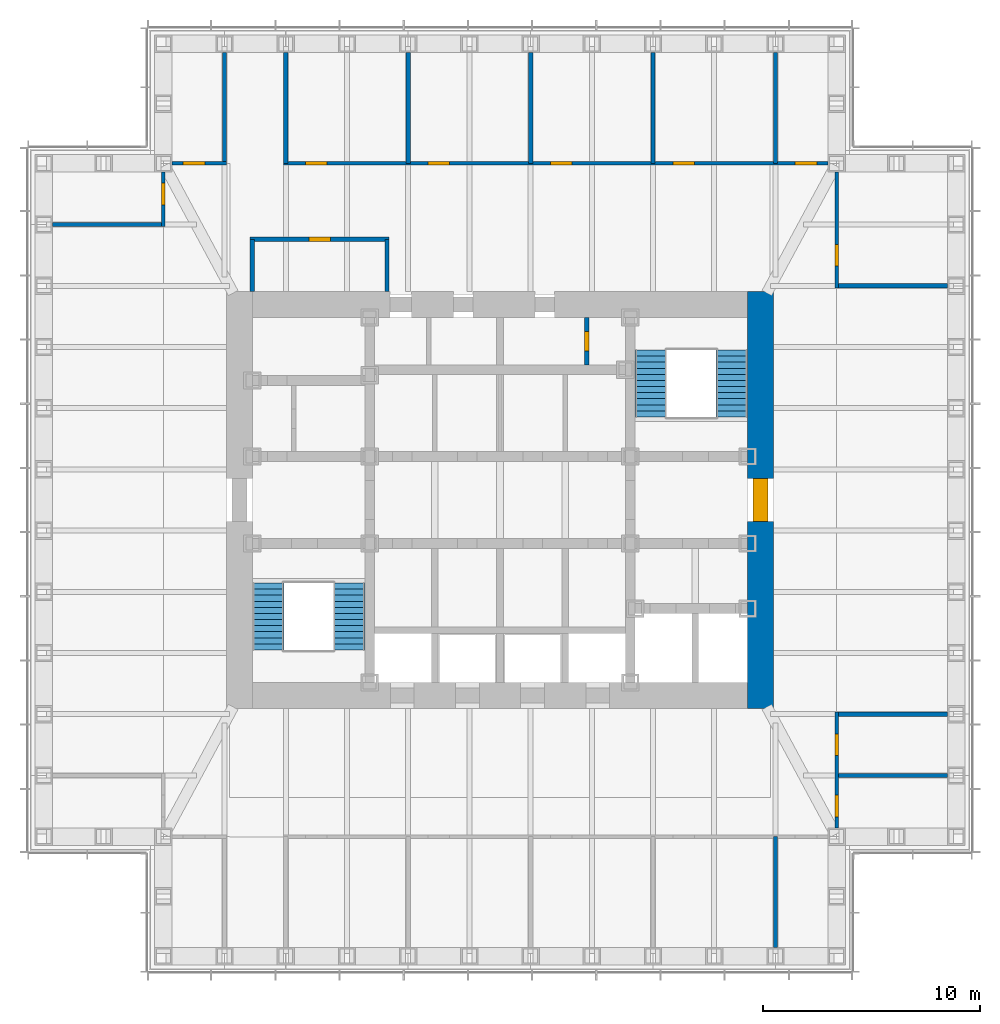
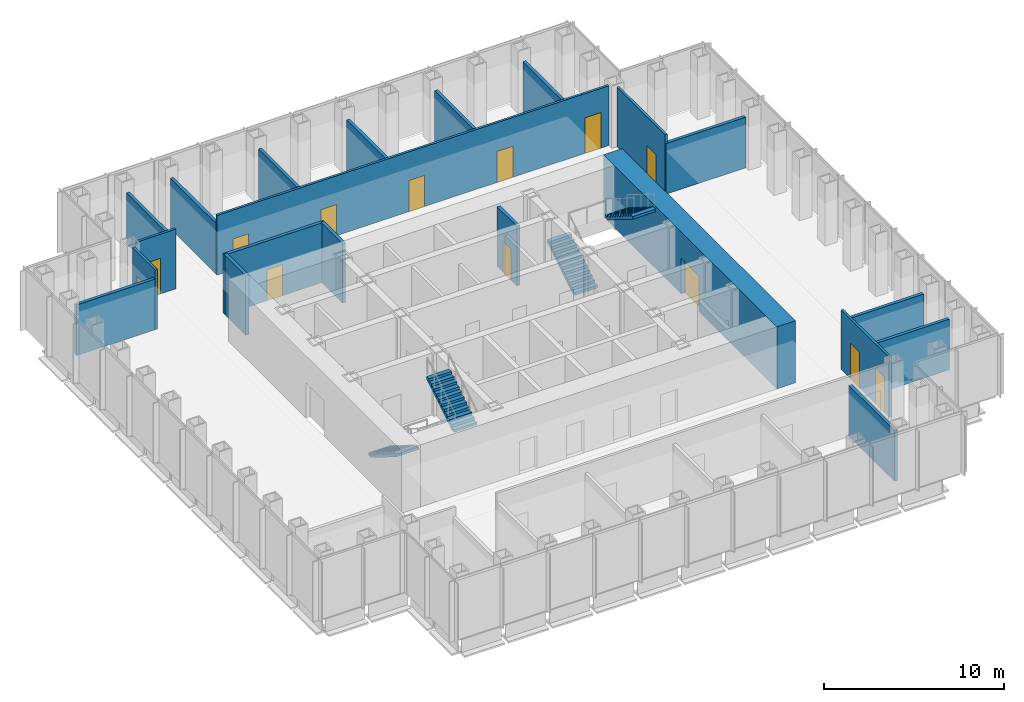
# One storey, part 10 of 16: 21 walls, 13 doors, 4 stair flights, 13 openings, 2 elements without a shape of their own.
"""IFC4 building model written with IfcOpenShell, lengths in metres."""

from ifc_helpers import new_model, si_unit, direction, frame, frame_2d, origin, place, context, subcontext, project, spatial, polyline, rectangle, outline, extrude, material, layer, layer_set, type_object, element, fill, aggregate, save


model = new_model("IFC4")

# Units and contexts
model_context = context("Model", 3, precision=1e-05, world=origin(), true_north=direction((0.0, 1.0)))
body_context = subcontext(model_context, "Body", "Model", "MODEL_VIEW")
ifc_project = project(units=[si_unit("LENGTHUNIT", "METRE"), si_unit("AREAUNIT", "SQUARE_METRE"), si_unit("VOLUMEUNIT", "CUBIC_METRE"), si_unit("PLANEANGLEUNIT", "RADIAN"), si_unit("MASSUNIT", "GRAM", prefix="KILO")], contexts=[model_context])

# Site, building, storey
site_placement = place(None, origin())
site = spatial("IfcSite", under=ifc_project, at=site_placement, CompositionType="ELEMENT")
building_placement = place(site_placement, origin())
building = spatial("IfcBuilding", under=site, at=building_placement, Name="Daluyong Arena Tower", CompositionType="ELEMENT")
storey_placement = place(building_placement, frame((0.0, 0.0, 219.10009765625)))
storey = spatial("IfcBuildingStorey", under=building, at=storey_placement, Name="L49", CompositionType="ELEMENT", Elevation=219.10009765625)

# Wall, opening, door
ifc_material_1 = material(Name="Concrete fc' 60 MPa", Category="concrete")
ifc_layer_1 = layer(ifc_material_1, 1.199951171875)
ifc_layer_set_1 = layer_set([ifc_layer_1], Name="Concrete fc' 60 MPa")
wall_type_1 = type_object("IfcWallType", Name="Core wall 1200", PredefinedType="SHEAR", material=ifc_layer_set_1)
wall_1_placement = place(storey_placement, frame((68.0, 70.39990234375, 0.0), z_axis=(0.0, 0.0, 1.0), x_axis=(0.0, 1.0, 0.0)))
wall_1 = element("IfcWall", 1, at=wall_1_placement, inside=storey, type_object=wall_type_1, Name="core wall at L49", PredefinedType="SHEAR", context=body_context, shape_type="SweptSolid", body=[
    extrude(rectangle(XDim=19.2001953125, YDim=1.199951171875, at=frame_2d((9.60009765625, 0.0))), origin(), (0.0, 0.0, 1.0), 4.199951171875),
])
opening_1_placement = place(wall_1_placement, frame((8.60009765625, 0.0, 0.0)))
opening_1 = element("IfcOpeningElement", 2, at=opening_1_placement, cuts=wall_1, Name="Opening 49019", PredefinedType="OPENING", context=body_context, shape_type="SweptSolid", body=[
    extrude(rectangle(XDim=2.0, YDim=2.39990234375, at=frame_2d((1.0, 1.199951171875))), frame((0.0, 0.60986328125, 0.0), z_axis=(0.0, -1.0, 0.0), x_axis=(1.0, 0.0, 0.0)), (0.0, 0.0, 1.0), 1.219970703125),
])
ifc_material_2 = material(Name="Steel door, fire rated", Category="steel")
door_type_1 = type_object("IfcDoorType", Name="Core lobby double door 2000", OperationType="DOUBLE_DOOR_SINGLE_SWING", PredefinedType="DOOR", material=ifc_material_2)
door_1_placement = place(opening_1_placement, origin())
door_1 = element("IfcDoor", 3, at=door_1_placement, inside=storey, type_object=door_type_1, Name="core lobby door east 49019", OperationType="DOUBLE_DOOR_SINGLE_SWING", OverallHeight=2.39990234375, OverallWidth=2.0, PredefinedType="DOOR", context=body_context, shape_type="SweptSolid", body=[
    extrude(rectangle(XDim=2.0, YDim=2.39990234375, at=frame_2d((1.0, 1.199951171875))), frame((0.0, 0.35009765625, 0.0), z_axis=(0.0, -1.0, 0.0), x_axis=(1.0, 0.0, 0.0)), (0.0, 0.0, 1.0), 0.699951171875),
])
fill(opening_1, door_1)

ifc_material_3 = material(Name="Concrete block partition, fire rated", Category="concrete")
ifc_layer_2 = layer(ifc_material_3, 0.199951171875)
ifc_layer_set_2 = layer_set([ifc_layer_2], Name="Concrete block partition, fire rated")
wall_type_2 = type_object("IfcWallType", Name="Fire-rated partition 200", PredefinedType="PARTITIONING", material=ifc_layer_set_2)
wall_2_placement = place(storey_placement, frame((60.0, 86.22509765625, 0.0), z_axis=(0.0, 0.0, 1.0), x_axis=(0.0, 1.0, 0.0)))
wall_2 = element("IfcWall", 4, at=wall_2_placement, inside=storey, type_object=wall_type_2, Name="electrical riser enclosure at L49", PredefinedType="PARTITIONING", context=body_context, shape_type="SweptSolid", body=[
    extrude(rectangle(XDim=2.1748046875, YDim=0.199951171875, at=frame_2d((1.08740234375, 0.0))), origin(), (0.0, 0.0, 1.0), 4.039794921875),
])
opening_2_placement = place(wall_2_placement, frame((0.637451171875, 0.0, 0.0)))
opening_2 = element("IfcOpeningElement", 5, at=opening_2_placement, cuts=wall_2, Name="Opening 49007", PredefinedType="OPENING", context=body_context, shape_type="SweptSolid", body=[
    extrude(rectangle(XDim=0.89990234375, YDim=2.10009765625, at=frame_2d((0.449951171875, 1.050048828125))), frame((0.0, 0.10986328125, 0.0), z_axis=(0.0, -1.0, 0.0), x_axis=(1.0, 0.0, 0.0)), (0.0, 0.0, 1.0), 0.219970703125),
])
ifc_material_4 = material(Name="Steel door, fire rated", Category="steel")
door_type_2 = type_object("IfcDoorType", Name="Riser door 900", OperationType="SINGLE_SWING_LEFT", PredefinedType="DOOR", material=ifc_material_4)
door_2_placement = place(opening_2_placement, origin())
door_2 = element("IfcDoor", 6, at=door_2_placement, inside=storey, type_object=door_type_2, Name="riser door 49007", OperationType="SINGLE_SWING_LEFT", OverallHeight=2.10009765625, OverallWidth=0.89990234375, PredefinedType="DOOR", context=body_context, shape_type="SweptSolid", body=[
    extrude(rectangle(XDim=0.89990234375, YDim=2.10009765625, at=frame_2d((0.449951171875, 1.050048828125))), frame((0.0, 0.099609375, 0.0), z_axis=(0.0, -1.0, 0.0), x_axis=(1.0, 0.0, 0.0)), (0.0, 0.0, 1.0), 0.199462890625),
])
fill(opening_2, door_2)

ifc_material_5 = material(Name="Glazed aluminium partition", Category="aluminium")
ifc_layer_3 = layer(ifc_material_5, 0.14990234375)
ifc_layer_set_3 = layer_set([ifc_layer_3], Name="Glazed aluminium partition")
wall_type_3 = type_object("IfcWallType", Name="Glazed partition 150", PredefinedType="PARTITIONING", material=ifc_layer_set_3)
wall_3_placement = place(storey_placement, frame((40.89990234375, 95.5, 0.0), z_axis=(0.0, 0.0, 1.0), x_axis=(1.0, 0.0, 0.0)))
wall_3 = element("IfcWall", 7, at=wall_3_placement, inside=storey, type_object=wall_type_3, Name="glazed partition at L49", PredefinedType="PARTITIONING", context=body_context, shape_type="SweptSolid", body=[
    extrude(rectangle(XDim=2.518310546875, YDim=0.14990234375, at=frame_2d((1.25927734375, 0.0))), origin(), (0.0, 0.0, 1.0), 4.039794921875),
])
opening_3_placement = place(wall_3_placement, frame((0.509033203125, 0.0, 0.0)))
opening_3 = element("IfcOpeningElement", 8, at=opening_3_placement, cuts=wall_3, Name="Opening 49038", PredefinedType="OPENING", context=body_context, shape_type="SweptSolid", body=[
    extrude(rectangle(XDim=1.0, YDim=2.39990234375, at=frame_2d((0.5, 1.199951171875))), frame((0.0, 0.0849609375, 0.0), z_axis=(0.0, -1.0, 0.0), x_axis=(1.0, 0.0, 0.0)), (0.0, 0.0, 1.0), 0.169921875),
])
ifc_material_6 = material(Name="Glazed aluminium door", Category="aluminium")
door_type_3 = type_object("IfcDoorType", Name="Meeting room glazed door 1000", OperationType="SINGLE_SWING_RIGHT", PredefinedType="DOOR", material=ifc_material_6)
door_3_placement = place(opening_3_placement, origin())
door_3 = element("IfcDoor", 9, at=door_3_placement, inside=storey, type_object=door_type_3, Name="focus room door 49038", OperationType="SINGLE_SWING_RIGHT", OverallHeight=2.39990234375, OverallWidth=1.0, PredefinedType="DOOR", context=body_context, shape_type="SweptSolid", body=[
    extrude(rectangle(XDim=1.0, YDim=2.39990234375, at=frame_2d((0.5, 1.199951171875))), frame((0.0, 0.07470703125, 0.0), z_axis=(0.0, -1.0, 0.0), x_axis=(1.0, 0.0, 0.0)), (0.0, 0.0, 1.0), 0.1494140625),
])
fill(opening_3, door_3)

# Wall, openings, doors
wall_4_placement = place(storey_placement, frame((46.036376953125, 95.5, 0.0), z_axis=(0.0, 0.0, 1.0), x_axis=(1.0, 0.0, 0.0)))
wall_4 = element("IfcWall", 10, at=wall_4_placement, inside=storey, type_object=wall_type_3, Name="glazed partition at L49", PredefinedType="PARTITIONING", context=body_context, shape_type="SweptSolid", body=[
    extrude(rectangle(XDim=25.063720703125, YDim=0.14990234375, at=frame_2d((12.53173828125, 0.0))), origin(), (0.0, 0.0, 1.0), 4.039794921875),
])
opening_4_placement = place(wall_4_placement, frame((1.009033203125, 0.0, 0.0)))
opening_4 = element("IfcOpeningElement", 11, at=opening_4_placement, cuts=wall_4, Name="Opening 49039", PredefinedType="OPENING", context=body_context, shape_type="SweptSolid", body=[
    extrude(rectangle(XDim=1.0, YDim=2.10009765625, at=frame_2d((0.5, 1.050048828125))), frame((0.0, 0.0849609375, 0.0), z_axis=(0.0, -1.0, 0.0), x_axis=(1.0, 0.0, 0.0)), (0.0, 0.0, 1.0), 0.169921875),
])
opening_5_placement = place(wall_4_placement, frame((6.6455078125, 0.0, 0.0)))
opening_5 = element("IfcOpeningElement", 12, at=opening_5_placement, cuts=wall_4, Name="Opening 49040", PredefinedType="OPENING", context=body_context, shape_type="SweptSolid", body=[
    extrude(rectangle(XDim=1.0, YDim=2.10009765625, at=frame_2d((0.5, 1.050048828125))), frame((0.0, 0.0849609375, 0.0), z_axis=(0.0, -1.0, 0.0), x_axis=(1.0, 0.0, 0.0)), (0.0, 0.0, 1.0), 0.169921875),
])
opening_6_placement = place(wall_4_placement, frame((12.28173828125, 0.0, 0.0)))
opening_6 = element("IfcOpeningElement", 13, at=opening_6_placement, cuts=wall_4, Name="Opening 49041", PredefinedType="OPENING", context=body_context, shape_type="SweptSolid", body=[
    extrude(rectangle(XDim=1.0, YDim=2.10009765625, at=frame_2d((0.5, 1.050048828125))), frame((0.0, 0.0849609375, 0.0), z_axis=(0.0, -1.0, 0.0), x_axis=(1.0, 0.0, 0.0)), (0.0, 0.0, 1.0), 0.169921875),
])
opening_7_placement = place(wall_4_placement, frame((17.918212890625, 0.0, 0.0)))
opening_7 = element("IfcOpeningElement", 14, at=opening_7_placement, cuts=wall_4, Name="Opening 49042", PredefinedType="OPENING", context=body_context, shape_type="SweptSolid", body=[
    extrude(rectangle(XDim=1.0, YDim=2.10009765625, at=frame_2d((0.5, 1.050048828125))), frame((0.0, 0.0849609375, 0.0), z_axis=(0.0, -1.0, 0.0), x_axis=(1.0, 0.0, 0.0)), (0.0, 0.0, 1.0), 0.169921875),
])
opening_8_placement = place(wall_4_placement, frame((23.554443359375, 0.0, 0.0)))
opening_8 = element("IfcOpeningElement", 15, at=opening_8_placement, cuts=wall_4, Name="Opening 49043", PredefinedType="OPENING", context=body_context, shape_type="SweptSolid", body=[
    extrude(rectangle(XDim=1.0, YDim=2.39990234375, at=frame_2d((0.5, 1.199951171875))), frame((0.0, 0.0849609375, 0.0), z_axis=(0.0, -1.0, 0.0), x_axis=(1.0, 0.0, 0.0)), (0.0, 0.0, 1.0), 0.169921875),
])
door_4_placement = place(opening_8_placement, origin())
door_4 = element("IfcDoor", 16, at=door_4_placement, inside=storey, type_object=door_type_3, Name="focus room door 49043", OperationType="SINGLE_SWING_RIGHT", OverallHeight=2.39990234375, OverallWidth=1.0, PredefinedType="DOOR", context=body_context, shape_type="SweptSolid", body=[
    extrude(rectangle(XDim=1.0, YDim=2.39990234375, at=frame_2d((0.5, 1.199951171875))), frame((0.0, 0.07470703125, 0.0), z_axis=(0.0, -1.0, 0.0), x_axis=(1.0, 0.0, 0.0)), (0.0, 0.0, 1.0), 0.1494140625),
])
fill(opening_8, door_4)
ifc_material_7 = material(Name="Timber door", Category="wood")
door_type_4 = type_object("IfcDoorType", Name="Room door 1000", OperationType="SINGLE_SWING_LEFT", PredefinedType="DOOR", material=ifc_material_7)
door_5_placement = place(opening_4_placement, origin())
door_5 = element("IfcDoor", 17, at=door_5_placement, inside=storey, type_object=door_type_4, Name="office door 49039", OperationType="SINGLE_SWING_LEFT", OverallHeight=2.10009765625, OverallWidth=1.0, PredefinedType="DOOR", context=body_context, shape_type="SweptSolid", body=[
    extrude(rectangle(XDim=1.0, YDim=2.10009765625, at=frame_2d((0.5, 1.050048828125))), frame((0.0, 0.07470703125, 0.0), z_axis=(0.0, -1.0, 0.0), x_axis=(1.0, 0.0, 0.0)), (0.0, 0.0, 1.0), 0.1494140625),
])
fill(opening_4, door_5)
door_6_placement = place(opening_5_placement, origin())
door_6 = element("IfcDoor", 18, at=door_6_placement, inside=storey, type_object=door_type_4, Name="office door 49040", OperationType="SINGLE_SWING_LEFT", OverallHeight=2.10009765625, OverallWidth=1.0, PredefinedType="DOOR", context=body_context, shape_type="SweptSolid", body=[
    extrude(rectangle(XDim=1.0, YDim=2.10009765625, at=frame_2d((0.5, 1.050048828125))), frame((0.0, 0.07470703125, 0.0), z_axis=(0.0, -1.0, 0.0), x_axis=(1.0, 0.0, 0.0)), (0.0, 0.0, 1.0), 0.1494140625),
])
fill(opening_5, door_6)
door_7_placement = place(opening_6_placement, origin())
door_7 = element("IfcDoor", 19, at=door_7_placement, inside=storey, type_object=door_type_4, Name="office door 49041", OperationType="SINGLE_SWING_LEFT", OverallHeight=2.10009765625, OverallWidth=1.0, PredefinedType="DOOR", context=body_context, shape_type="SweptSolid", body=[
    extrude(rectangle(XDim=1.0, YDim=2.10009765625, at=frame_2d((0.5, 1.050048828125))), frame((0.0, 0.07470703125, 0.0), z_axis=(0.0, -1.0, 0.0), x_axis=(1.0, 0.0, 0.0)), (0.0, 0.0, 1.0), 0.1494140625),
])
fill(opening_6, door_7)
door_8_placement = place(opening_7_placement, origin())
door_8 = element("IfcDoor", 20, at=door_8_placement, inside=storey, type_object=door_type_4, Name="office door 49042", OperationType="SINGLE_SWING_LEFT", OverallHeight=2.10009765625, OverallWidth=1.0, PredefinedType="DOOR", context=body_context, shape_type="SweptSolid", body=[
    extrude(rectangle(XDim=1.0, YDim=2.10009765625, at=frame_2d((0.5, 1.050048828125))), frame((0.0, 0.07470703125, 0.0), z_axis=(0.0, -1.0, 0.0), x_axis=(1.0, 0.0, 0.0)), (0.0, 0.0, 1.0), 0.1494140625),
])
fill(opening_7, door_8)

# Wall, opening, door
wall_5_placement = place(storey_placement, frame((40.5, 92.581787109375, 0.0), z_axis=(0.0, 0.0, 1.0), x_axis=(0.0, 1.0, 0.0)))
wall_5 = element("IfcWall", 21, at=wall_5_placement, inside=storey, type_object=wall_type_3, Name="glazed partition at L49", PredefinedType="PARTITIONING", context=body_context, shape_type="SweptSolid", body=[
    extrude(rectangle(XDim=2.518310546875, YDim=0.14990234375, at=frame_2d((1.25927734375, 0.0))), origin(), (0.0, 0.0, 1.0), 4.039794921875),
])
opening_9_placement = place(wall_5_placement, frame((1.009033203125, 0.0, 0.0)))
opening_9 = element("IfcOpeningElement", 22, at=opening_9_placement, cuts=wall_5, Name="Opening 49045", PredefinedType="OPENING", context=body_context, shape_type="SweptSolid", body=[
    extrude(rectangle(XDim=1.0, YDim=2.39990234375, at=frame_2d((0.5, 1.199951171875))), frame((0.0, 0.0849609375, 0.0), z_axis=(0.0, -1.0, 0.0), x_axis=(1.0, 0.0, 0.0)), (0.0, 0.0, 1.0), 0.169921875),
])
door_9_placement = place(opening_9_placement, origin())
door_9 = element("IfcDoor", 23, at=door_9_placement, inside=storey, type_object=door_type_3, Name="focus room door 49045", OperationType="SINGLE_SWING_RIGHT", OverallHeight=2.39990234375, OverallWidth=1.0, PredefinedType="DOOR", context=body_context, shape_type="SweptSolid", body=[
    extrude(rectangle(XDim=1.0, YDim=2.39990234375, at=frame_2d((0.5, 1.199951171875))), frame((0.0, 0.07470703125, 0.0), z_axis=(0.0, -1.0, 0.0), x_axis=(1.0, 0.0, 0.0)), (0.0, 0.0, 1.0), 0.1494140625),
])
fill(opening_9, door_9)

# Wall, openings, doors
wall_6_placement = place(storey_placement, frame((71.5, 64.89990234375, 0.0), z_axis=(0.0, 0.0, 1.0), x_axis=(0.0, 1.0, 0.0)))
wall_6 = element("IfcWall", 24, at=wall_6_placement, inside=storey, type_object=wall_type_3, Name="glazed partition at L49", PredefinedType="PARTITIONING", context=body_context, shape_type="SweptSolid", body=[
    extrude(rectangle(XDim=5.33642578125, YDim=0.14990234375, at=frame_2d((2.668212890625, 0.0))), origin(), (0.0, 0.0, 1.0), 4.039794921875),
])
opening_10_placement = place(wall_6_placement, frame((0.509033203125, 0.0, 0.0)))
opening_10 = element("IfcOpeningElement", 25, at=opening_10_placement, cuts=wall_6, Name="Opening 49035", PredefinedType="OPENING", context=body_context, shape_type="SweptSolid", body=[
    extrude(rectangle(XDim=1.0, YDim=2.39990234375, at=frame_2d((0.5, 1.199951171875))), frame((0.0, 0.0849609375, 0.0), z_axis=(0.0, -1.0, 0.0), x_axis=(1.0, 0.0, 0.0)), (0.0, 0.0, 1.0), 0.169921875),
])
opening_11_placement = place(wall_6_placement, frame((3.327392578125, 0.0, 0.0)))
opening_11 = element("IfcOpeningElement", 26, at=opening_11_placement, cuts=wall_6, Name="Opening 49036", PredefinedType="OPENING", context=body_context, shape_type="SweptSolid", body=[
    extrude(rectangle(XDim=1.0, YDim=2.39990234375, at=frame_2d((0.5, 1.199951171875))), frame((0.0, 0.0849609375, 0.0), z_axis=(0.0, -1.0, 0.0), x_axis=(1.0, 0.0, 0.0)), (0.0, 0.0, 1.0), 0.169921875),
])
door_10_placement = place(opening_10_placement, origin())
door_10 = element("IfcDoor", 27, at=door_10_placement, inside=storey, type_object=door_type_3, Name="focus room door 49035", OperationType="SINGLE_SWING_RIGHT", OverallHeight=2.39990234375, OverallWidth=1.0, PredefinedType="DOOR", context=body_context, shape_type="SweptSolid", body=[
    extrude(rectangle(XDim=1.0, YDim=2.39990234375, at=frame_2d((0.5, 1.199951171875))), frame((0.0, 0.07470703125, 0.0), z_axis=(0.0, -1.0, 0.0), x_axis=(1.0, 0.0, 0.0)), (0.0, 0.0, 1.0), 0.1494140625),
])
fill(opening_10, door_10)
door_11_placement = place(opening_11_placement, origin())
door_11 = element("IfcDoor", 28, at=door_11_placement, inside=storey, type_object=door_type_3, Name="focus room door 49036", OperationType="SINGLE_SWING_RIGHT", OverallHeight=2.39990234375, OverallWidth=1.0, PredefinedType="DOOR", context=body_context, shape_type="SweptSolid", body=[
    extrude(rectangle(XDim=1.0, YDim=2.39990234375, at=frame_2d((0.5, 1.199951171875))), frame((0.0, 0.07470703125, 0.0), z_axis=(0.0, -1.0, 0.0), x_axis=(1.0, 0.0, 0.0)), (0.0, 0.0, 1.0), 0.1494140625),
])
fill(opening_11, door_11)

# Wall, opening, door
wall_7_placement = place(storey_placement, frame((71.5, 89.763671875, 0.0), z_axis=(0.0, 0.0, 1.0), x_axis=(0.0, 1.0, 0.0)))
wall_7 = element("IfcWall", 29, at=wall_7_placement, inside=storey, type_object=wall_type_3, Name="glazed partition at L49", PredefinedType="PARTITIONING", context=body_context, shape_type="SweptSolid", body=[
    extrude(rectangle(XDim=5.33642578125, YDim=0.14990234375, at=frame_2d((2.668212890625, 0.0))), origin(), (0.0, 0.0, 1.0), 4.039794921875),
])
opening_12_placement = place(wall_7_placement, frame((1.009033203125, 0.0, 0.0)))
opening_12 = element("IfcOpeningElement", 30, at=opening_12_placement, cuts=wall_7, Name="Opening 49037", PredefinedType="OPENING", context=body_context, shape_type="SweptSolid", body=[
    extrude(rectangle(XDim=1.0, YDim=2.10009765625, at=frame_2d((0.5, 1.050048828125))), frame((0.0, 0.0849609375, 0.0), z_axis=(0.0, -1.0, 0.0), x_axis=(1.0, 0.0, 0.0)), (0.0, 0.0, 1.0), 0.169921875),
])
door_12_placement = place(opening_12_placement, origin())
door_12 = element("IfcDoor", 31, at=door_12_placement, inside=storey, type_object=door_type_4, Name="executive office door 49037", OperationType="SINGLE_SWING_LEFT", OverallHeight=2.10009765625, OverallWidth=1.0, PredefinedType="DOOR", context=body_context, shape_type="SweptSolid", body=[
    extrude(rectangle(XDim=1.0, YDim=2.10009765625, at=frame_2d((0.5, 1.050048828125))), frame((0.0, 0.07470703125, 0.0), z_axis=(0.0, -1.0, 0.0), x_axis=(1.0, 0.0, 0.0)), (0.0, 0.0, 1.0), 0.1494140625),
])
fill(opening_12, door_12)

# Walls
ifc_material_8 = material(Name="Concrete block partition", Category="concrete")
ifc_layer_4 = layer(ifc_material_8, 0.199951171875)
ifc_layer_set_4 = layer_set([ifc_layer_4], Name="Concrete block partition")
wall_type_4 = type_object("IfcWallType", Name="Partition 200", PredefinedType="PARTITIONING", material=ifc_layer_set_4)
for number, where, z_axis, x_axis, name in (
    (32, (68.681884765625, 59.39990234375, 0.0), (0.0, 0.0, 1.0), (0.0, 1.0, 0.0), "partition at L49"),
    (33, (71.5, 67.318115234375, 0.0), (0.0, 0.0, 1.0), (1.0, 0.0, 0.0), "partition at L49"),
    (34, (71.5, 70.136474609375, 0.0), (0.0, 0.0, 1.0), (1.0, 0.0, 0.0), "partition at L49"),
    (35, (71.5, 89.863525390625, 0.0), (0.0, 0.0, 1.0), (1.0, 0.0, 0.0), "partition at L49"),
    (36, (43.318115234375, 95.5, 0.0), (0.0, 0.0, 1.0), (0.0, 1.0, 0.0), "partition at L49"),
    (37, (46.136474609375, 95.5, 0.0), (0.0, 0.0, 1.0), (0.0, 1.0, 0.0), "partition at L49"),
    (38, (51.772705078125, 95.5, 0.0), (0.0, 0.0, 1.0), (0.0, 1.0, 0.0), "partition at L49"),
    (39, (57.4091796875, 95.5, 0.0), (0.0, 0.0, 1.0), (0.0, 1.0, 0.0), "partition at L49"),
    (40, (63.04541015625, 95.5, 0.0), (0.0, 0.0, 1.0), (0.0, 1.0, 0.0), "partition at L49"),
    (41, (68.681884765625, 95.5, 0.0), (0.0, 0.0, 1.0), (0.0, 1.0, 0.0), "partition at L49"),
    (42, (35.39990234375, 92.681884765625, 0.0), (0.0, 0.0, 1.0), (1.0, 0.0, 0.0), "partition at L49"),
):
    element("IfcWall", number, at=place(storey_placement, frame(where, z_axis=z_axis, x_axis=x_axis)), inside=storey, type_object=wall_type_4, Name=name, PredefinedType="PARTITIONING", context=body_context, shape_type="SweptSolid", body=[
        extrude(rectangle(XDim=5.10009765625, YDim=0.199951171875, at=frame_2d((2.550048828125, 0.0))), origin(), (0.0, 0.0, 1.0), 3.427734375),
    ])
for number, where, z_axis, x_axis, name in (
    (43, (44.60009765625, 89.60009765625, 0.0), (0.0, 0.0, 1.0), (0.0, 1.0, 0.0), "partition at L49"),
    (44, (50.800048828125, 89.60009765625, 0.0), (0.0, 0.0, 1.0), (0.0, 1.0, 0.0), "partition at L49"),
):
    element("IfcWall", number, at=place(storey_placement, frame(where, z_axis=z_axis, x_axis=x_axis)), inside=storey, type_object=wall_type_4, Name=name, PredefinedType="PARTITIONING", context=body_context, shape_type="SweptSolid", body=[
        extrude(rectangle(XDim=2.39990234375, YDim=0.199951171875, at=frame_2d((1.199951171875, 0.0))), origin(), (0.0, 0.0, 1.0), 4.039794921875),
    ])

# Wall, opening, door
wall_8_placement = place(storey_placement, frame((44.5, 92.0, 0.0), z_axis=(0.0, 0.0, 1.0), x_axis=(1.0, 0.0, 0.0)))
wall_8 = element("IfcWall", 45, at=wall_8_placement, inside=storey, type_object=wall_type_4, Name="partition at L49", PredefinedType="PARTITIONING", context=body_context, shape_type="SweptSolid", body=[
    extrude(rectangle(XDim=6.39990234375, YDim=0.199951171875, at=frame_2d((3.199951171875, 0.0))), origin(), (0.0, 0.0, 1.0), 4.039794921875),
])
opening_13_placement = place(wall_8_placement, frame((2.699951171875, 0.0, 0.0)))
opening_13 = element("IfcOpeningElement", 46, at=opening_13_placement, cuts=wall_8, Name="Opening 49046", PredefinedType="OPENING", context=body_context, shape_type="SweptSolid", body=[
    extrude(rectangle(XDim=1.0, YDim=2.10009765625, at=frame_2d((0.5, 1.050048828125))), frame((0.0, 0.10986328125, 0.0), z_axis=(0.0, -1.0, 0.0), x_axis=(1.0, 0.0, 0.0)), (0.0, 0.0, 1.0), 0.219970703125),
])
door_13_placement = place(opening_13_placement, origin())
door_13 = element("IfcDoor", 47, at=door_13_placement, inside=storey, type_object=door_type_4, Name="pantry door 49046", OperationType="SINGLE_SWING_LEFT", OverallHeight=2.10009765625, OverallWidth=1.0, PredefinedType="DOOR", context=body_context, shape_type="SweptSolid", body=[
    extrude(rectangle(XDim=1.0, YDim=2.10009765625, at=frame_2d((0.5, 1.050048828125))), frame((0.0, 0.099609375, 0.0), z_axis=(0.0, -1.0, 0.0), x_axis=(1.0, 0.0, 0.0)), (0.0, 0.0, 1.0), 0.199462890625),
])
fill(opening_13, door_13)

# Stair, stair flights
ifc_material_9 = material(Name="Concrete fc' 35 MPa", Category="concrete")
stair_type = type_object("IfcStairType", Name="Core exit stair", PredefinedType="HALF_TURN_STAIR", material=ifc_material_9)
stair_1_placement = place(storey_placement, origin())
stair_1 = element("IfcStair", 48, at=stair_1_placement, inside=storey, type_object=stair_type, Name="exit stair A L49", PredefinedType="HALF_TURN_STAIR")
ifc_material_10 = material(Name="Concrete fc' 35 MPa", Category="concrete")
stair_flight_type = type_object("IfcStairFlightType", Name="Core stair flight", PredefinedType="STRAIGHT", material=ifc_material_10)
stair_flight_1_placement = place(storey_placement, frame((45.324951171875, 76.175048828125, 0.0), z_axis=(0.0, 0.0, 1.0), x_axis=(0.0, -1.0, 0.0)))
stair_flight_1 = element("IfcStairFlight", 49, at=stair_flight_1_placement, type_object=stair_flight_type, Name="STA flight 1", NumberOfRisers=12, NumberOfTreads=11, PredefinedType="STRAIGHT", RiserHeight=0.175, TreadLength=0.28, context=body_context, shape_type="SweptSolid", body=[
    extrude(outline(polyline([(0.0, 0.0), (0.0, 0.175048828125), (0.280029296875, 0.175048828125), (0.280029296875, 0.35009765625), (0.56005859375, 0.35009765625), (0.56005859375, 0.52490234375), (0.840087890625, 0.52490234375), (0.840087890625, 0.699951171875), (1.1201171875, 0.699951171875), (1.1201171875, 0.875), (1.39990234375, 0.875), (1.39990234375, 1.050048828125), (1.679931640625, 1.050048828125), (1.679931640625, 1.22509765625), (1.9599609375, 1.22509765625), (1.9599609375, 1.39990234375), (2.239990234375, 1.39990234375), (2.239990234375, 1.574951171875), (2.52001953125, 1.574951171875), (2.52001953125, 1.75), (2.800048828125, 1.75), (2.800048828125, 1.925048828125), (3.080078125, 1.925048828125), (3.080078125, 2.10009765625), (3.080078125, 1.748291015625), (0.28271484375, 0.0), (0.0, 0.0)])), frame((0.0, 0.72509765625, 0.0), z_axis=(0.0, -1.0, 0.0), x_axis=(1.0, 0.0, 0.0)), (0.0, 0.0, 1.0), 1.449951171875),
])
stair_flight_2_placement = place(storey_placement, frame((49.050048828125, 73.094970703125, 2.099853515625), z_axis=(0.0, 0.0, 1.0), x_axis=(0.0, 1.0, 0.0)))
stair_flight_2 = element("IfcStairFlight", 50, at=stair_flight_2_placement, type_object=stair_flight_type, Name="STA flight 2", NumberOfRisers=12, NumberOfTreads=11, PredefinedType="STRAIGHT", RiserHeight=0.175, TreadLength=0.28, context=body_context, shape_type="SweptSolid", body=[
    extrude(outline(polyline([(0.0, 0.0), (0.0, 0.175048828125), (0.280029296875, 0.175048828125), (0.280029296875, 0.35009765625), (0.56005859375, 0.35009765625), (0.56005859375, 0.52490234375), (0.840087890625, 0.52490234375), (0.840087890625, 0.699951171875), (1.1201171875, 0.699951171875), (1.1201171875, 0.875), (1.39990234375, 0.875), (1.39990234375, 1.050048828125), (1.679931640625, 1.050048828125), (1.679931640625, 1.22509765625), (1.9599609375, 1.22509765625), (1.9599609375, 1.39990234375), (2.239990234375, 1.39990234375), (2.239990234375, 1.574951171875), (2.52001953125, 1.574951171875), (2.52001953125, 1.75), (2.800048828125, 1.75), (2.800048828125, 1.925048828125), (3.080078125, 1.925048828125), (3.080078125, 2.10009765625), (3.080078125, 1.748291015625), (0.28271484375, 0.0), (0.0, 0.0)])), frame((0.0, 0.72509765625, 0.0), z_axis=(0.0, -1.0, 0.0), x_axis=(1.0, 0.0, 0.0)), (0.0, 0.0, 1.0), 1.449951171875),
])
aggregate(stair_1, [stair_flight_1, stair_flight_2])

stair_2_placement = place(storey_placement, origin())
stair_2 = element("IfcStair", 51, at=stair_2_placement, inside=storey, type_object=stair_type, Name="exit stair B L49", PredefinedType="HALF_TURN_STAIR")
stair_flight_3_placement = place(storey_placement, frame((62.949951171875, 83.824951171875, 0.0), z_axis=(0.0, 0.0, 1.0), x_axis=(0.0, 1.0, 0.0)))
stair_flight_3 = element("IfcStairFlight", 52, at=stair_flight_3_placement, type_object=stair_flight_type, Name="STB flight 1", NumberOfRisers=12, NumberOfTreads=11, PredefinedType="STRAIGHT", RiserHeight=0.175, TreadLength=0.28, context=body_context, shape_type="SweptSolid", body=[
    extrude(outline(polyline([(0.0, 0.0), (0.0, 0.175048828125), (0.280029296875, 0.175048828125), (0.280029296875, 0.35009765625), (0.56005859375, 0.35009765625), (0.56005859375, 0.52490234375), (0.840087890625, 0.52490234375), (0.840087890625, 0.699951171875), (1.1201171875, 0.699951171875), (1.1201171875, 0.875), (1.39990234375, 0.875), (1.39990234375, 1.050048828125), (1.679931640625, 1.050048828125), (1.679931640625, 1.22509765625), (1.9599609375, 1.22509765625), (1.9599609375, 1.39990234375), (2.239990234375, 1.39990234375), (2.239990234375, 1.574951171875), (2.52001953125, 1.574951171875), (2.52001953125, 1.75), (2.800048828125, 1.75), (2.800048828125, 1.925048828125), (3.080078125, 1.925048828125), (3.080078125, 2.10009765625), (3.080078125, 1.748291015625), (0.28271484375, 0.0), (0.0, 0.0)])), frame((0.0, 0.72509765625, 0.0), z_axis=(0.0, -1.0, 0.0), x_axis=(1.0, 0.0, 0.0)), (0.0, 0.0, 1.0), 1.449951171875),
])
stair_flight_4_placement = place(storey_placement, frame((66.675048828125, 86.905029296875, 2.099853515625), z_axis=(0.0, 0.0, 1.0), x_axis=(0.0, -1.0, 0.0)))
stair_flight_4 = element("IfcStairFlight", 53, at=stair_flight_4_placement, type_object=stair_flight_type, Name="STB flight 2", NumberOfRisers=12, NumberOfTreads=11, PredefinedType="STRAIGHT", RiserHeight=0.175, TreadLength=0.28, context=body_context, shape_type="SweptSolid", body=[
    extrude(outline(polyline([(0.0, 0.0), (0.0, 0.175048828125), (0.280029296875, 0.175048828125), (0.280029296875, 0.35009765625), (0.56005859375, 0.35009765625), (0.56005859375, 0.52490234375), (0.840087890625, 0.52490234375), (0.840087890625, 0.699951171875), (1.1201171875, 0.699951171875), (1.1201171875, 0.875), (1.39990234375, 0.875), (1.39990234375, 1.050048828125), (1.679931640625, 1.050048828125), (1.679931640625, 1.22509765625), (1.9599609375, 1.22509765625), (1.9599609375, 1.39990234375), (2.239990234375, 1.39990234375), (2.239990234375, 1.574951171875), (2.52001953125, 1.574951171875), (2.52001953125, 1.75), (2.800048828125, 1.75), (2.800048828125, 1.925048828125), (3.080078125, 1.925048828125), (3.080078125, 2.10009765625), (3.080078125, 1.748291015625), (0.28271484375, 0.0), (0.0, 0.0)])), frame((0.0, 0.72509765625, 0.0), z_axis=(0.0, -1.0, 0.0), x_axis=(1.0, 0.0, 0.0)), (0.0, 0.0, 1.0), 1.449951171875),
])
aggregate(stair_2, [stair_flight_3, stair_flight_4])

save(model, "model.ifc")
